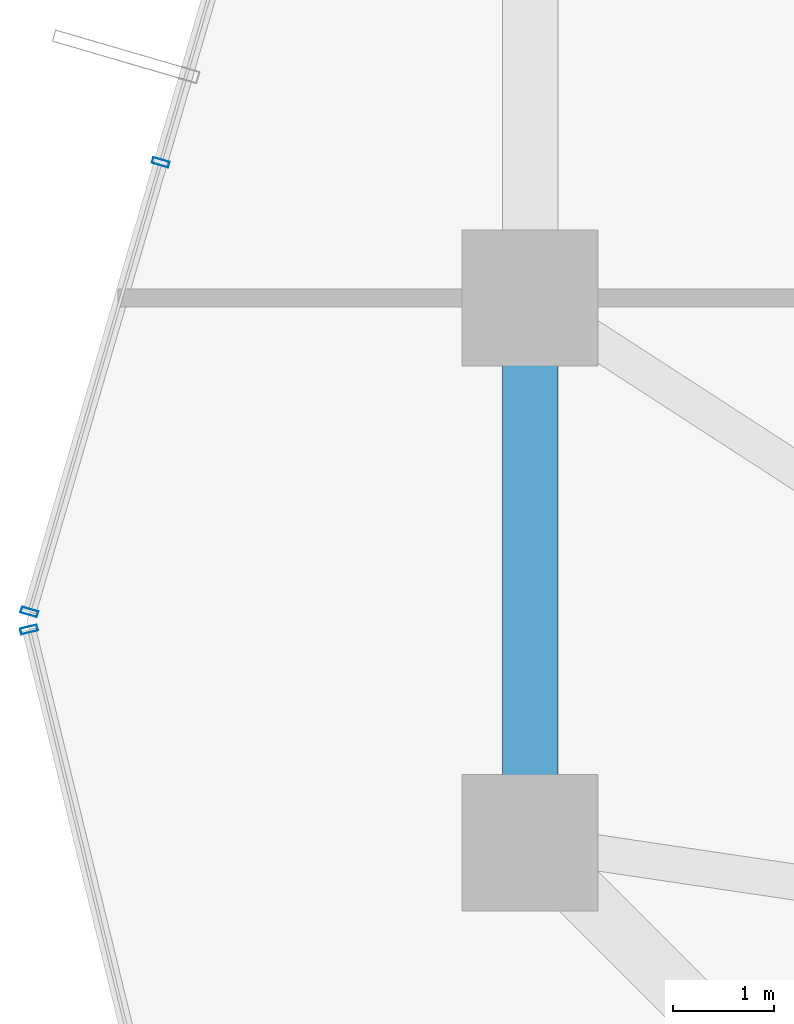
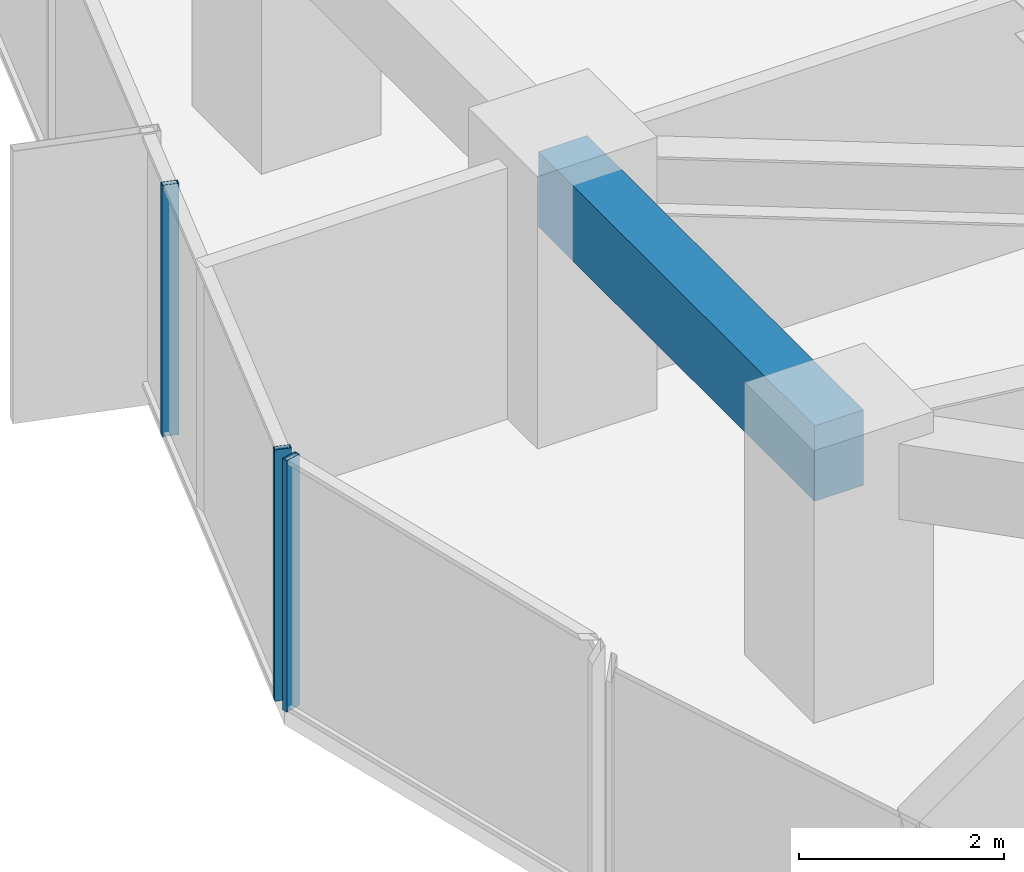
# One storey, part 8 of 37: 3 members, 1 beam, 2 elements without a shape of their own.
"""IFC4 building model written with IfcOpenShell, lengths in metres."""

from ifc_helpers import new_model, si_unit, direction, frame, origin, origin_2d, place, context, subcontext, project, spatial, rectangle, hollow_rectangle, extrude, source, transform, mapped, material, layer, layer_set, material_profile, profile_set, type_object, element, aggregate, save


model = new_model("IFC4")

# Units and contexts
model_context = context("Model", 3, precision=1e-05, world=origin(), true_north=direction((0.0, 1.0)))
body_context = subcontext(model_context, "Body", "Model", "MODEL_VIEW")
ifc_project = project(units=[si_unit("LENGTHUNIT", "METRE"), si_unit("AREAUNIT", "SQUARE_METRE"), si_unit("VOLUMEUNIT", "CUBIC_METRE"), si_unit("PLANEANGLEUNIT", "RADIAN"), si_unit("MASSUNIT", "GRAM", prefix="KILO")], contexts=[model_context])

# Site, building, storey
site_placement = place(None, origin())
site = spatial("IfcSite", under=ifc_project, at=site_placement, CompositionType="ELEMENT")
building_placement = place(site_placement, origin())
building = spatial("IfcBuilding", under=site, at=building_placement, Name="Veraguas Prism Commons", CompositionType="ELEMENT")
storey_placement = place(building_placement, frame((0.0, 0.0, 70.60009765625)))
storey = spatial("IfcBuildingStorey", under=building, at=storey_placement, Name="L19", CompositionType="ELEMENT", Elevation=70.60009765625)

# Beam
ifc_material_1 = material(Name="Concrete C50/60", Category="concrete")
ifc_material_profile_1 = material_profile(ifc_material_1, rectangle(XDim=0.550048828125, YDim=0.89990234375, at=origin_2d()), Name="RC550X900")
ifc_profile_set_1 = profile_set([ifc_material_profile_1], Name="Concrete C50/60")
beam_type = type_object("IfcBeamType", Name="Perimeter Spandrel Lower RC 550x900", PredefinedType="SPANDREL", material=ifc_profile_set_1)
beam_placement = place(storey_placement, frame((6.39990234375, 24.0, 2.5498046875), z_axis=(0.0, -1.0, 0.0), x_axis=(1.0, 0.0, 0.0)))
element("IfcBeam", 1, at=beam_placement, inside=storey, type_object=beam_type, Name="Perimeter Spandrel Beam L19-SP08", PredefinedType="SPANDREL", context=body_context, shape_type="SweptSolid", body=[
    extrude(rectangle(XDim=0.550048828125, YDim=0.89990234375, at=origin_2d()), origin(), (0.0, 0.0, 1.0), 5.39990234375),
])

# Curtain wall, members
ifc_material_2 = material(Name="Anodised aluminium EN AW-6063 T6", Category="aluminium")
ifc_layer = layer(ifc_material_2, 0.169921875, Name="Unitised Flush Curtain Wall Zone 1", Category="aluminium")
ifc_layer_set = layer_set([ifc_layer], Name="Anodised aluminium EN AW-6063 T6")
curtain_wall_type = type_object("IfcCurtainWallType", Name="Unitised Flush Curtain Wall Zone 1", PredefinedType="NOTDEFINED", material=ifc_layer_set)
curtain_wall_1_placement = place(storey_placement, origin())
curtain_wall_1 = element("IfcCurtainWall", 2, at=curtain_wall_1_placement, inside=storey, type_object=curtain_wall_type, Name="Tower Facade Curtain Wall L19-F3", PredefinedType="NOTDEFINED")
ifc_material_profile_2 = material_profile(ifc_material_2, hollow_rectangle(XDim=0.06005859375, YDim=0.169921875, WallThickness=0.00390625, at=origin_2d()), Name="AL60X170X4")
ifc_profile_set_2 = profile_set([ifc_material_profile_2], Name="Anodised aluminium EN AW-6063 T6")
member_type = type_object("IfcMemberType", Name="Curtain Wall Mullion Lower AL 60x170x4", PredefinedType="MULLION", material=ifc_profile_set_2)
shared_shape = source(origin(), body_context, "Body", "SweptSolid", [
    extrude(hollow_rectangle(XDim=0.06005859375, YDim=0.169921875, WallThickness=0.00390625, at=origin_2d()), origin(), (0.0, 0.0, 1.0), 3.0),
])
member_1_placement = place(storey_placement, frame((2.7392578125, 25.3427734375, 0.0), z_axis=(0.0, 0.0, 1.0), x_axis=(-0.280333331925, -0.959902715389, 0.0)))
member_1 = element("IfcMember", 3, at=member_1_placement, type_object=member_type, Name="CW-Z1 Mullion 4", PredefinedType="MULLION", context=body_context, shape_type="MappedRepresentation", body=[
    mapped(shared_shape, transform((0.0, 0.0, 0.0), scale=1.0)),
])
member_2_placement = place(storey_placement, frame((1.438232421875, 20.887939453125, 0.0), z_axis=(0.0, 0.0, 1.0), x_axis=(-0.280333331925, -0.959902715389, 0.0)))
member_2 = element("IfcMember", 4, at=member_2_placement, type_object=member_type, Name="CW-Z1 Mullion 5", PredefinedType="MULLION", context=body_context, shape_type="MappedRepresentation", body=[
    mapped(shared_shape, transform((0.0, 0.0, 0.0), scale=1.0)),
])
aggregate(curtain_wall_1, [member_1, member_2])

# Curtain wall, member
curtain_wall_2_placement = place(storey_placement, origin())
curtain_wall_2 = element("IfcCurtainWall", 5, at=curtain_wall_2_placement, inside=storey, type_object=curtain_wall_type, Name="Chamfer Curtain Wall L19-C4", PredefinedType="NOTDEFINED")
member_3_placement = place(storey_placement, frame((1.434326171875, 20.714111328125, 0.0), z_axis=(0.0, 0.0, 1.0), x_axis=(0.237192525979, -0.971462663009, 0.0)))
member_3 = element("IfcMember", 6, at=member_3_placement, type_object=member_type, Name="CW-Z1 Mullion 1", PredefinedType="MULLION", context=body_context, shape_type="MappedRepresentation", body=[
    mapped(shared_shape, transform((0.0, 0.0, 0.0), scale=1.0)),
])
aggregate(curtain_wall_2, [member_3])

save(model, "model.ifc")
